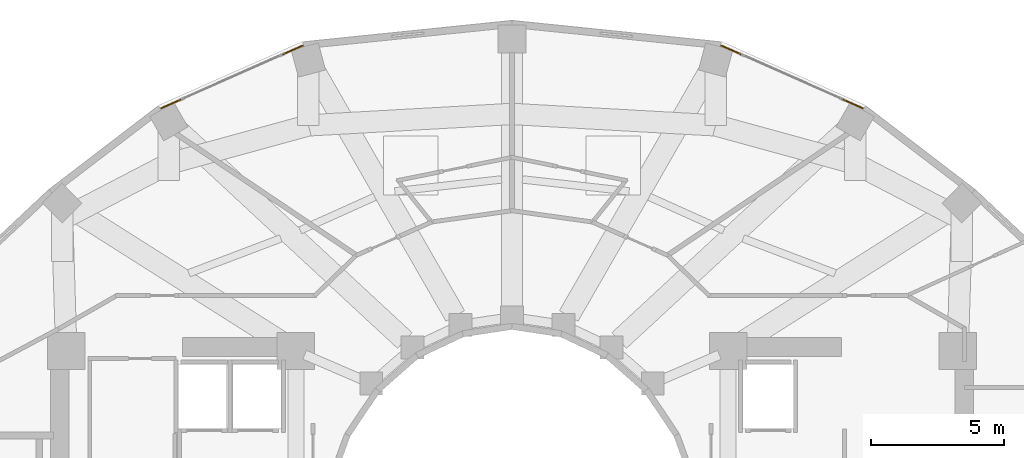
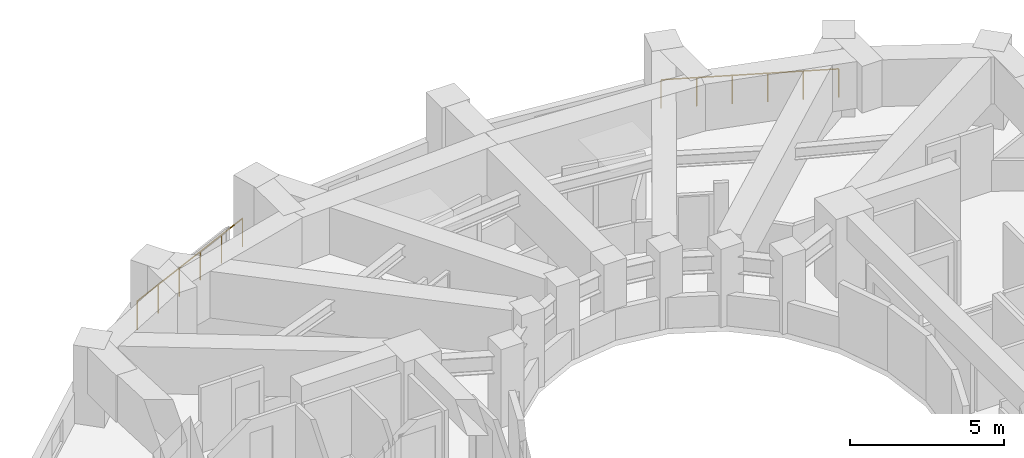
# One storey, part 16 of 16: 2 railings.
"""IFC4 building model written with IfcOpenShell, lengths in metres."""

from ifc_helpers import new_model, si_unit, direction, frame, origin, origin_2d, place, context, subcontext, project, spatial, circle, extrude, material, type_object, element, save


model = new_model("IFC4")

# Units and contexts
model_context = context("Model", 3, precision=1e-05, world=origin(), true_north=direction((0.0, 1.0)))
body_context = subcontext(model_context, "Body", "Model", "MODEL_VIEW")
ifc_project = project(units=[si_unit("LENGTHUNIT", "METRE"), si_unit("AREAUNIT", "SQUARE_METRE"), si_unit("VOLUMEUNIT", "CUBIC_METRE"), si_unit("PLANEANGLEUNIT", "RADIAN"), si_unit("MASSUNIT", "GRAM", prefix="KILO")], contexts=[model_context])

# Site, building, storey
site_placement = place(None, origin())
site = spatial("IfcSite", under=ifc_project, at=site_placement, CompositionType="ELEMENT")
building_placement = place(site_placement, origin())
building = spatial("IfcBuilding", under=site, at=building_placement, Name="Solvane Sanctuary Tower", CompositionType="ELEMENT")
storey_placement = place(building_placement, frame((0.0, 0.0, 119.699951171875)))
storey = spatial("IfcBuildingStorey", under=building, at=storey_placement, Name="L36", CompositionType="ELEMENT", Elevation=119.699951171875)

# Railings
ifc_material = material(Name="Architectural Stainless Steel 316", Category="steel")
railing_type = type_object("IfcRailingType", Name="Railing GR-BALC-1150", PredefinedType="BALUSTRADE", material=ifc_material)
railing_1_placement = place(storey_placement, frame((45.14599609375, 39.2900390625, 0.0)))
element("IfcRailing", 1, at=railing_1_placement, inside=storey, type_object=railing_type, Name="L36 Curtain-Wall Perimeter Sill Guard 04", PredefinedType="BALUSTRADE", context=body_context, shape_type="SweptSolid", body=[
    extrude(circle(Radius=0.02392578125, at=origin_2d()), frame((0.0, 0.0, 1.1259765625), z_axis=(-0.91433335621, 0.40496236087, 0.0), x_axis=(-0.40496236087, -0.91433335621, 0.0)), (0.0, 0.0, 1.0), 5.799072265625),
    extrude(circle(Radius=0.02099609375, at=origin_2d()), origin(), (0.0, 0.0, 1.0), 1.101806640625),
    extrude(circle(Radius=0.02099609375, at=origin_2d()), frame((-1.060546875, 0.4697265625, 0.0)), (0.0, 0.0, 1.0), 1.101806640625),
    extrude(circle(Radius=0.02099609375, at=origin_2d()), frame((-2.120849609375, 0.939453125, 0.0)), (0.0, 0.0, 1.0), 1.101806640625),
    extrude(circle(Radius=0.02099609375, at=origin_2d()), frame((-3.181396484375, 1.408935546875, 0.0)), (0.0, 0.0, 1.0), 1.101806640625),
    extrude(circle(Radius=0.02099609375, at=origin_2d()), frame((-4.24169921875, 1.878662109375, 0.0)), (0.0, 0.0, 1.0), 1.101806640625),
    extrude(circle(Radius=0.02099609375, at=origin_2d()), frame((-5.30224609375, 2.348388671875, 0.0)), (0.0, 0.0, 1.0), 1.101806640625),
])
railing_2_placement = place(storey_placement, frame((24.15625, 41.638427734375, 0.0)))
element("IfcRailing", 2, at=railing_2_placement, inside=storey, type_object=railing_type, Name="L36 Curtain-Wall Perimeter Sill Guard 07", PredefinedType="BALUSTRADE", context=body_context, shape_type="SweptSolid", body=[
    extrude(circle(Radius=0.02392578125, at=origin_2d()), frame((0.0, 0.0, 1.1259765625), z_axis=(-0.91433335621, -0.40496236087, 0.0), x_axis=(0.40496236087, -0.91433335621, 0.0)), (0.0, 0.0, 1.0), 5.799072265625),
    extrude(circle(Radius=0.02099609375, at=origin_2d()), origin(), (0.0, 0.0, 1.0), 1.101806640625),
    extrude(circle(Radius=0.02099609375, at=origin_2d()), frame((-1.060546875, -0.4697265625, 0.0)), (0.0, 0.0, 1.0), 1.101806640625),
    extrude(circle(Radius=0.02099609375, at=origin_2d()), frame((-2.120849609375, -0.939453125, 0.0)), (0.0, 0.0, 1.0), 1.101806640625),
    extrude(circle(Radius=0.02099609375, at=origin_2d()), frame((-3.181396484375, -1.408935546875, 0.0)), (0.0, 0.0, 1.0), 1.101806640625),
    extrude(circle(Radius=0.02099609375, at=origin_2d()), frame((-4.24169921875, -1.878662109375, 0.0)), (0.0, 0.0, 1.0), 1.101806640625),
    extrude(circle(Radius=0.02099609375, at=origin_2d()), frame((-5.30224609375, -2.348388671875, 0.0)), (0.0, 0.0, 1.0), 1.101806640625),
])

save(model, "model.ifc")
